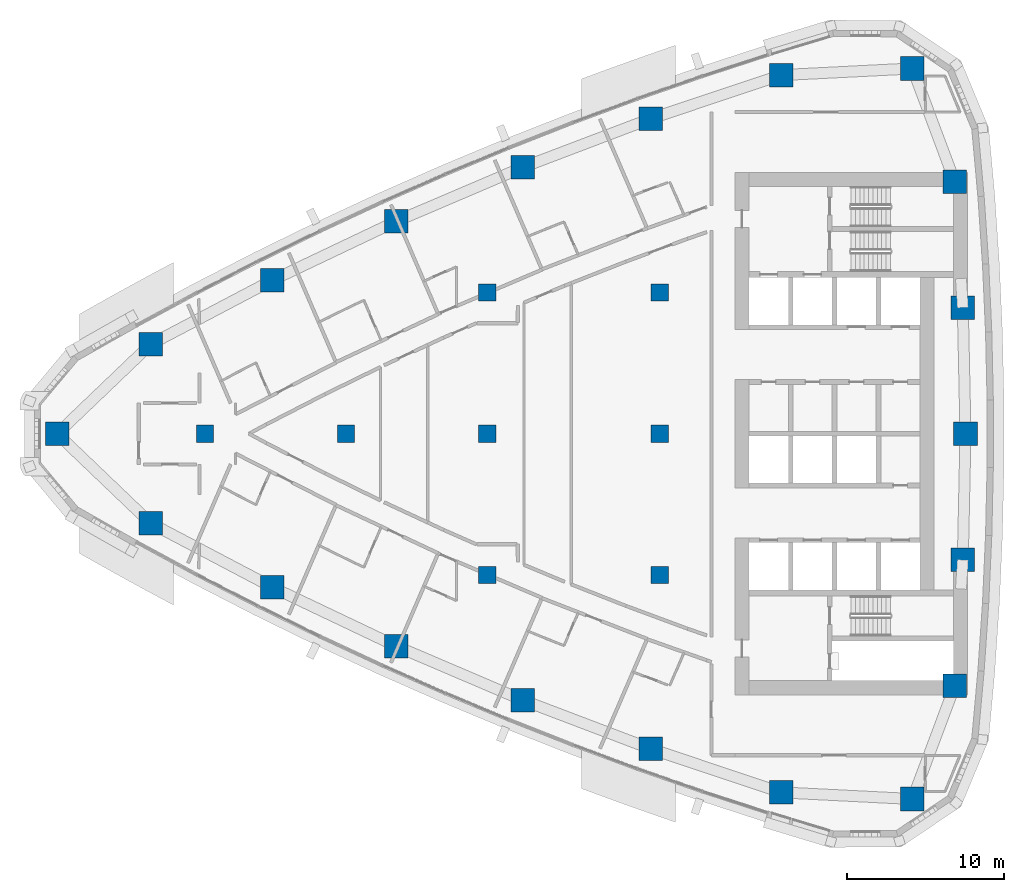
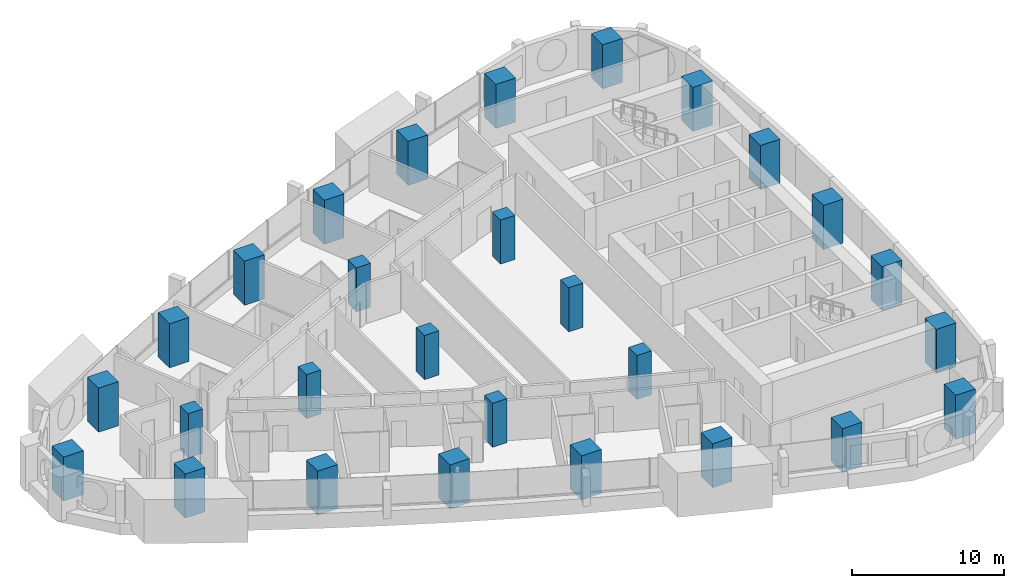
# One storey, part 1 of 17: 28 columns.
"""IFC4 building model written with IfcOpenShell, lengths in metres."""

from ifc_helpers import new_model, si_unit, direction, frame, origin, origin_2d, place, context, subcontext, project, spatial, rectangle, extrude, material, material_profile, profile_set, type_object, element, save


model = new_model("IFC4")

# Units and contexts
model_context = context("Model", 3, precision=1e-05, world=origin(), true_north=direction((0.0, 1.0)))
body_context = subcontext(model_context, "Body", "Model", "MODEL_VIEW")
ifc_project = project(units=[si_unit("LENGTHUNIT", "METRE"), si_unit("AREAUNIT", "SQUARE_METRE"), si_unit("VOLUMEUNIT", "CUBIC_METRE"), si_unit("PLANEANGLEUNIT", "RADIAN"), si_unit("MASSUNIT", "GRAM", prefix="KILO")], contexts=[model_context])

# Site, building, storey
site_placement = place(None, origin())
site = spatial("IfcSite", under=ifc_project, at=site_placement, CompositionType="ELEMENT")
building_placement = place(site_placement, origin())
building = spatial("IfcBuilding", under=site, at=building_placement, Name="Ostrand Prow Hotel Tower", CompositionType="ELEMENT")
storey_placement = place(building_placement, frame((0.0, 0.0, 140.85009765625)))
storey = spatial("IfcBuildingStorey", under=building, at=storey_placement, Name="L34", CompositionType="ELEMENT", Elevation=140.85009765625)

# Columns
ifc_material_1 = material(Name="Concrete C70/85", Category="concrete")
ifc_material_profile_1 = material_profile(ifc_material_1, rectangle(XDim=1.10009765625, YDim=1.10009765625, at=origin_2d()), Name="RC 1100x1100")
ifc_profile_set_1 = profile_set([ifc_material_profile_1], Name="Concrete C70/85")
column_type_1 = type_object("IfcColumnType", Name="Interior column 1100x1100 C70/85", PredefinedType="COLUMN", material=ifc_profile_set_1)
for number, where, z_axis, x_axis, name in (
    (1, (16.0, 0.0, 0.0), (0.0, 0.0, 1.0), (1.0, 0.0, 0.0), "Interior column 16C0"),
    (2, (25.0, 0.0, 0.0), (0.0, 0.0, 1.0), (1.0, 0.0, 0.0), "Interior column 25C0"),
    (3, (34.0, -9.0, 0.0), (0.0, 0.0, 1.0), (1.0, 0.0, 0.0), "Interior column 34S9"),
    (4, (34.0, 0.0, 0.0), (0.0, 0.0, 1.0), (1.0, 0.0, 0.0), "Interior column 34C0"),
    (5, (34.0, 9.0, 0.0), (0.0, 0.0, 1.0), (1.0, 0.0, 0.0), "Interior column 34N9"),
    (6, (45.0, -9.0, 0.0), (0.0, 0.0, 1.0), (1.0, 0.0, 0.0), "Interior column 45S9"),
    (7, (45.0, 0.0, 0.0), (0.0, 0.0, 1.0), (1.0, 0.0, 0.0), "Interior column 45C0"),
    (8, (45.0, 9.0, 0.0), (0.0, 0.0, 1.0), (1.0, 0.0, 0.0), "Interior column 45N9"),
):
    element("IfcColumn", number, at=place(storey_placement, frame(where, z_axis=z_axis, x_axis=x_axis)), inside=storey, type_object=column_type_1, Name=name, PredefinedType="COLUMN", context=body_context, shape_type="SweptSolid", body=[
        extrude(rectangle(XDim=1.10009765625, YDim=1.10009765625, at=origin_2d()), origin(), (0.0, 0.0, 1.0), 3.5498046875),
    ])
ifc_material_2 = material(Name="Concrete C70/85", Category="concrete")
ifc_material_profile_2 = material_profile(ifc_material_2, rectangle(XDim=1.5, YDim=1.5, at=origin_2d()), Name="RC 1500x1500")
ifc_profile_set_2 = profile_set([ifc_material_profile_2], Name="Concrete C70/85")
column_type_2 = type_object("IfcColumnType", Name="Stone-faced mega column 1500x1500 C70/85", PredefinedType="COLUMN", material=ifc_profile_set_2)
for number, where, z_axis, x_axis, name in (
    (9, (6.580078125, 0.0, 0.0), (0.0, 0.0, 1.0), (1.0, 0.0, 0.0), "Mega column P"),
    (10, (12.55322265625, -5.712646484375, 0.0), (0.0, 0.0, 1.0), (1.0, 0.0, 0.0), "Mega column S1"),
    (11, (20.300048828125, -9.787841796875, 0.0), (0.0, 0.0, 1.0), (1.0, 0.0, 0.0), "Mega column S2"),
    (12, (28.205078125, -13.547119140625, 0.0), (0.0, 0.0, 1.0), (1.0, 0.0, 0.0), "Mega column S3"),
    (13, (36.255615234375, -16.98388671875, 0.0), (0.0, 0.0, 1.0), (1.0, 0.0, 0.0), "Mega column S4"),
    (14, (44.438232421875, -20.093017578125, 0.0), (0.0, 0.0, 1.0), (1.0, 0.0, 0.0), "Mega column S5"),
    (15, (52.73974609375, -22.869140625, 0.0), (0.0, 0.0, 1.0), (1.0, 0.0, 0.0), "Mega column S6"),
    (16, (61.117431640625, -23.29052734375, 0.0), (0.0, 0.0, 1.0), (1.0, 0.0, 0.0), "Mega column SE"),
    (17, (63.818603515625, -16.074951171875, 0.0), (0.0, 0.0, 1.0), (1.0, 0.0, 0.0), "Mega column B1"),
    (18, (64.32958984375, -8.044677734375, 0.0), (0.0, 0.0, 1.0), (1.0, 0.0, 0.0), "Mega column B2"),
    (19, (64.5, 0.0, 0.0), (0.0, 0.0, 1.0), (1.0, 0.0, 0.0), "Mega column B3"),
    (20, (64.32958984375, 8.044677734375, 0.0), (0.0, 0.0, 1.0), (1.0, 0.0, 0.0), "Mega column B4"),
    (21, (63.818603515625, 16.074951171875, 0.0), (0.0, 0.0, 1.0), (1.0, 0.0, 0.0), "Mega column B5"),
    (22, (61.117431640625, 23.29052734375, 0.0), (0.0, 0.0, 1.0), (1.0, 0.0, 0.0), "Mega column NE"),
    (23, (52.73974609375, 22.869140625, 0.0), (0.0, 0.0, 1.0), (1.0, 0.0, 0.0), "Mega column N1"),
    (24, (44.438232421875, 20.093017578125, 0.0), (0.0, 0.0, 1.0), (1.0, 0.0, 0.0), "Mega column N2"),
    (25, (36.255615234375, 16.98388671875, 0.0), (0.0, 0.0, 1.0), (1.0, 0.0, 0.0), "Mega column N3"),
    (26, (28.205078125, 13.547119140625, 0.0), (0.0, 0.0, 1.0), (1.0, 0.0, 0.0), "Mega column N4"),
    (27, (20.300048828125, 9.787841796875, 0.0), (0.0, 0.0, 1.0), (1.0, 0.0, 0.0), "Mega column N5"),
    (28, (12.55322265625, 5.712646484375, 0.0), (0.0, 0.0, 1.0), (1.0, 0.0, 0.0), "Mega column N6"),
):
    element("IfcColumn", number, at=place(storey_placement, frame(where, z_axis=z_axis, x_axis=x_axis)), inside=storey, type_object=column_type_2, Name=name, PredefinedType="COLUMN", context=body_context, shape_type="SweptSolid", body=[
        extrude(rectangle(XDim=1.5, YDim=1.5, at=origin_2d()), origin(), (0.0, 0.0, 1.0), 3.5498046875),
    ])

save(model, "model.ifc")
